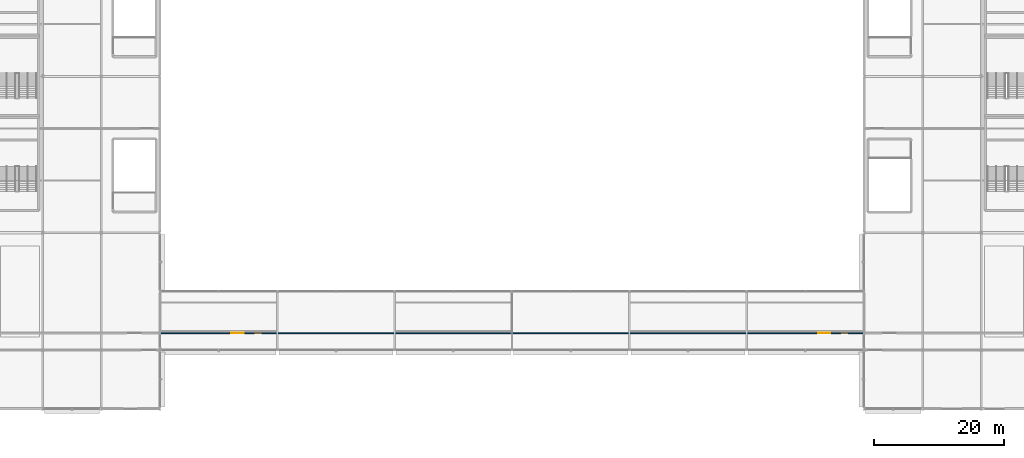
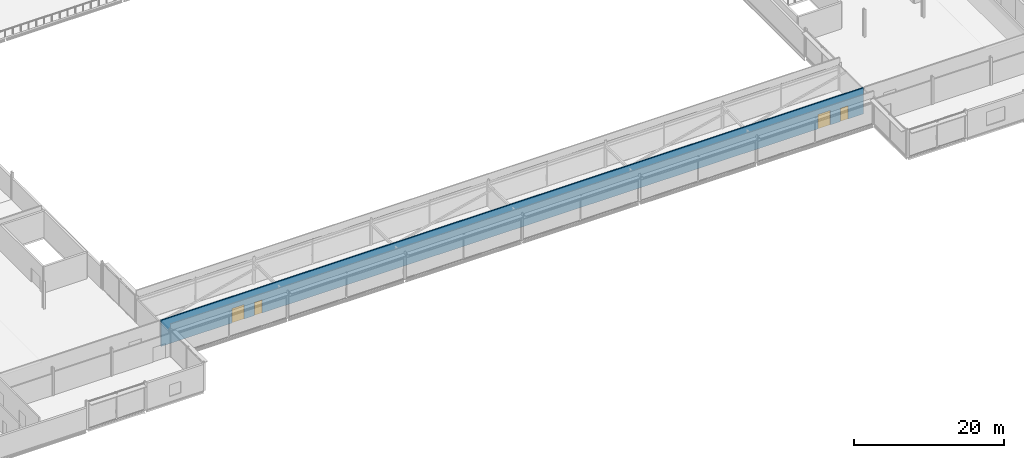
# One storey, part 39 of 73: 4 doors, 1 wall, 4 openings.
"""IFC4 building model written with IfcOpenShell, lengths in metres."""

from ifc_helpers import new_model, si_unit, direction, frame, frame_2d, origin, place, context, subcontext, project, spatial, rectangle, extrude, material, layer, layer_set, type_object, element, fill, save


model = new_model("IFC4")

# Units and contexts
model_context = context("Model", 3, precision=1e-05, world=origin(), true_north=direction((0.0, 1.0)))
body_context = subcontext(model_context, "Body", "Model", "MODEL_VIEW")
ifc_project = project(units=[si_unit("LENGTHUNIT", "METRE"), si_unit("AREAUNIT", "SQUARE_METRE"), si_unit("VOLUMEUNIT", "CUBIC_METRE"), si_unit("PLANEANGLEUNIT", "RADIAN"), si_unit("MASSUNIT", "GRAM", prefix="KILO")], contexts=[model_context])

# Site, building, storey
site_placement = place(None, origin())
site = spatial("IfcSite", under=ifc_project, at=site_placement, CompositionType="ELEMENT")
building_placement = place(site_placement, origin())
building = spatial("IfcBuilding", under=site, at=building_placement, Name="Kisiwana Market Hall", CompositionType="ELEMENT")
storey_placement = place(building_placement, frame((0.0, 0.0, 33.300048828125)))
storey = spatial("IfcBuildingStorey", under=building, at=storey_placement, Name="L07", CompositionType="ELEMENT", Elevation=33.300048828125)

# Wall, openings, doors
ifc_material_1 = material(Name="Masonry blockwork", Category="masonry")
ifc_layer = layer(ifc_material_1, 0.169921875, Name="Protected corridor partition")
ifc_layer_set = layer_set([ifc_layer], Name="WL-CORR-170")
wall_type = type_object("IfcWallType", Name="WL-CORR-170", PredefinedType="PARTITIONING", material=ifc_layer_set)
wall_placement = place(storey_placement, frame((45.0849609375, 20.60009765625, 0.0), z_axis=(0.0, 0.0, 1.0), x_axis=(1.0, 0.0, 0.0)))
wall = element("IfcWall", 1, at=wall_placement, inside=storey, type_object=wall_type, Name="Interior partition W-2259", PredefinedType="PARTITIONING", context=body_context, shape_type="SweptSolid", body=[
    extrude(rectangle(XDim=107.830078125, YDim=0.169921875, at=frame_2d((53.9150390625, 0.0))), origin(), (0.0, 0.0, 1.0), 4.2548828125),
])
opening_1_placement = place(wall_placement, frame((14.340087890625, 0.0, 0.0)))
opening_1 = element("IfcOpeningElement", 2, at=opening_1_placement, cuts=wall, Name="Opening DR-L07-066", PredefinedType="OPENING", context=body_context, shape_type="SweptSolid", body=[
    extrude(rectangle(XDim=1.14990234375, YDim=2.14990234375, at=frame_2d((0.574951171875, 1.074951171875))), frame((0.0, 0.096923828125, 0.0), z_axis=(0.0, -1.0, 0.0), x_axis=(1.0, 0.0, 0.0)), (0.0, 0.0, 1.0), 0.19384765625),
])
opening_2_placement = place(wall_placement, frame((104.340087890625, 0.0, 0.0)))
opening_2 = element("IfcOpeningElement", 3, at=opening_2_placement, cuts=wall, Name="Opening DR-L07-067", PredefinedType="OPENING", context=body_context, shape_type="SweptSolid", body=[
    extrude(rectangle(XDim=1.14990234375, YDim=2.14990234375, at=frame_2d((0.574951171875, 1.074951171875))), frame((0.0, 0.096923828125, 0.0), z_axis=(0.0, -1.0, 0.0), x_axis=(1.0, 0.0, 0.0)), (0.0, 0.0, 1.0), 0.19384765625),
])
opening_3_placement = place(wall_placement, frame((10.85009765625, 0.0, 0.0)))
opening_3 = element("IfcOpeningElement", 4, at=opening_3_placement, cuts=wall, Name="Opening DR-L07-068", PredefinedType="OPENING", context=body_context, shape_type="SweptSolid", body=[
    extrude(rectangle(XDim=1.89990234375, YDim=2.35009765625, at=frame_2d((0.949951171875, 1.175048828125))), frame((0.0, 0.096923828125, 0.0), z_axis=(0.0, -1.0, 0.0), x_axis=(1.0, 0.0, 0.0)), (0.0, 0.0, 1.0), 0.19384765625),
])
opening_4_placement = place(wall_placement, frame((100.864990234375, 0.0, 0.0)))
opening_4 = element("IfcOpeningElement", 5, at=opening_4_placement, cuts=wall, Name="Opening DR-L07-069", PredefinedType="OPENING", context=body_context, shape_type="SweptSolid", body=[
    extrude(rectangle(XDim=1.89990234375, YDim=2.35009765625, at=frame_2d((0.949951171875, 1.175048828125))), frame((0.0, 0.096923828125, 0.0), z_axis=(0.0, -1.0, 0.0), x_axis=(1.0, 0.0, 0.0)), (0.0, 0.0, 1.0), 0.19384765625),
])
ifc_material_2 = material(Name="Steel S275", Category="steel")
door_type_1 = type_object("IfcDoorType", Name="DR-HALL-1900", OperationType="DOUBLE_DOOR_SINGLE_SWING", PredefinedType="DOOR", material=ifc_material_2)
door_1_placement = place(opening_3_placement, origin())
door_1 = element("IfcDoor", 6, at=door_1_placement, inside=storey, type_object=door_type_1, Name="L07 W Skybridge Dining Pavilion S1 Exit Door", OperationType="DOUBLE_DOOR_SINGLE_SWING", OverallHeight=2.35009765625, OverallWidth=1.89990234375, PredefinedType="DOOR", context=body_context, shape_type="SweptSolid", body=[
    extrude(rectangle(XDim=1.89990234375, YDim=2.35009765625, at=frame_2d((0.949951171875, 1.175048828125))), frame((0.0, 0.02490234375, 0.0), z_axis=(0.0, -1.0, 0.0), x_axis=(1.0, 0.0, 0.0)), (0.0, 0.0, 1.0), 0.050048828125),
])
fill(opening_3, door_1)
door_2_placement = place(opening_4_placement, origin())
door_2 = element("IfcDoor", 7, at=door_2_placement, inside=storey, type_object=door_type_1, Name="L07 E Skybridge Dining Pavilion S2 Exit Door", OperationType="DOUBLE_DOOR_SINGLE_SWING", OverallHeight=2.35009765625, OverallWidth=1.89990234375, PredefinedType="DOOR", context=body_context, shape_type="SweptSolid", body=[
    extrude(rectangle(XDim=1.89990234375, YDim=2.35009765625, at=frame_2d((0.949951171875, 1.175048828125))), frame((0.0, 0.02490234375, 0.0), z_axis=(0.0, -1.0, 0.0), x_axis=(1.0, 0.0, 0.0)), (0.0, 0.0, 1.0), 0.050048828125),
])
fill(opening_4, door_2)
ifc_material_3 = material(Name="Aluminium alloy 6063-T6", Category="aluminium")
door_type_2 = type_object("IfcDoorType", Name="DR-MEET-1150", OperationType="NOTDEFINED", PredefinedType="DOOR", material=ifc_material_3)
door_3_placement = place(opening_1_placement, origin())
door_3 = element("IfcDoor", 8, at=door_3_placement, inside=storey, type_object=door_type_2, Name="L07 Skybridge S1 Door", OperationType="SINGLE_SWING_LEFT", OverallHeight=2.14990234375, OverallWidth=1.14990234375, PredefinedType="DOOR", context=body_context, shape_type="SweptSolid", body=[
    extrude(rectangle(XDim=1.14990234375, YDim=2.14990234375, at=frame_2d((0.574951171875, 1.074951171875))), frame((0.0, 0.02490234375, 0.0), z_axis=(0.0, -1.0, 0.0), x_axis=(1.0, 0.0, 0.0)), (0.0, 0.0, 1.0), 0.050048828125),
])
fill(opening_1, door_3)
door_4_placement = place(opening_2_placement, origin())
door_4 = element("IfcDoor", 9, at=door_4_placement, inside=storey, type_object=door_type_2, Name="L07 Skybridge S2 Door", OperationType="SINGLE_SWING_RIGHT", OverallHeight=2.14990234375, OverallWidth=1.14990234375, PredefinedType="DOOR", context=body_context, shape_type="SweptSolid", body=[
    extrude(rectangle(XDim=1.14990234375, YDim=2.14990234375, at=frame_2d((0.574951171875, 1.074951171875))), frame((0.0, 0.02490234375, 0.0), z_axis=(0.0, -1.0, 0.0), x_axis=(1.0, 0.0, 0.0)), (0.0, 0.0, 1.0), 0.050048828125),
])
fill(opening_2, door_4)

save(model, "model.ifc")
